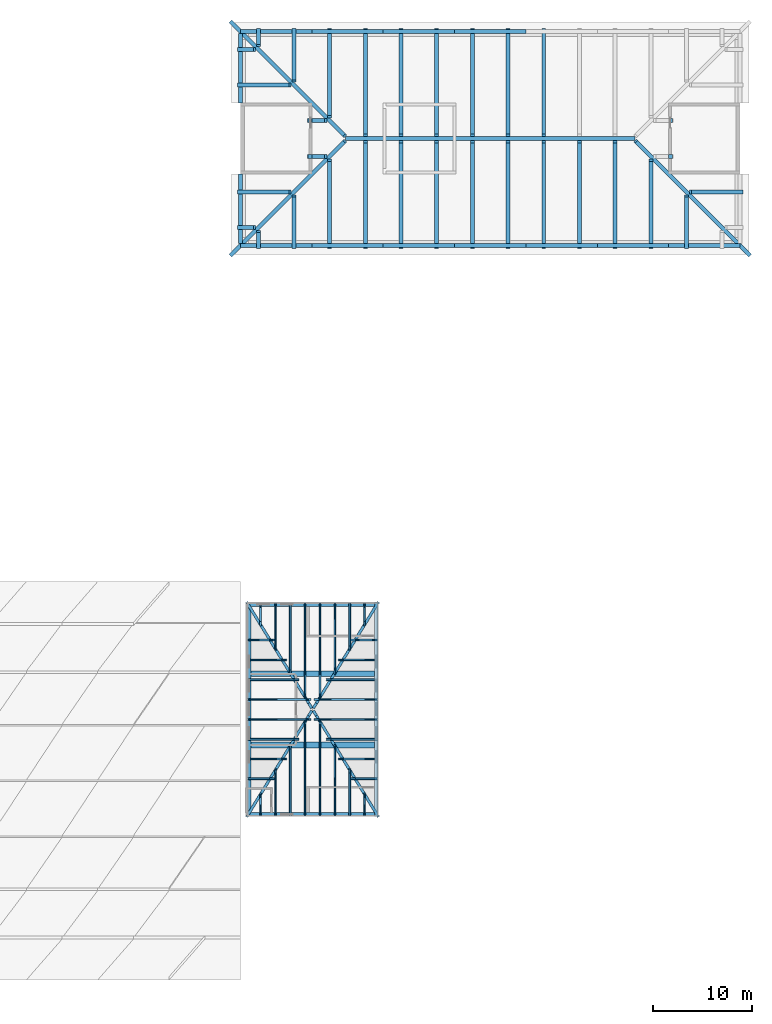
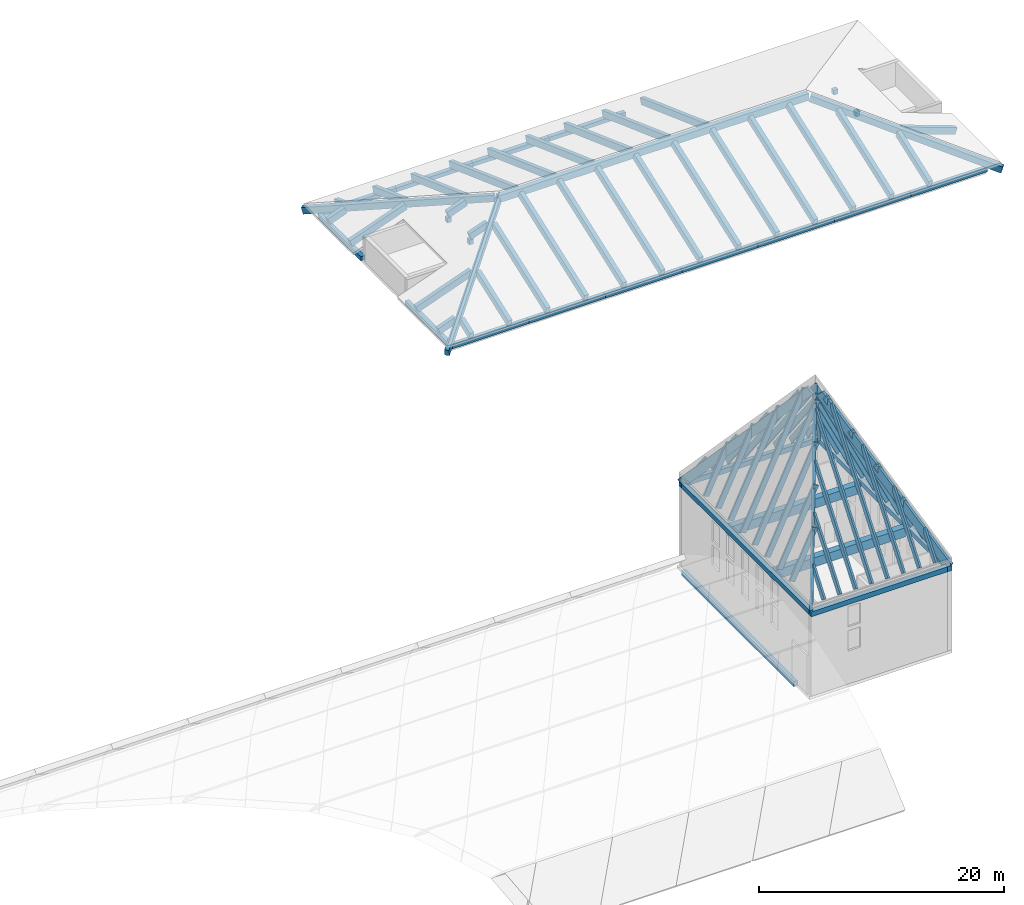
# One storey, part 1 of 8: 53 beams, 36 members, 4 columns.
"""IFC4 building model written with IfcOpenShell, lengths in metres."""

from ifc_helpers import new_model, si_unit, direction, frame, origin, origin_2d, place, context, subcontext, project, spatial, rectangle, extrude, material, material_profile, profile_set, type_object, element, save


model = new_model("IFC4")

# Units and contexts
model_context = context("Model", 3, precision=1e-05, world=origin(), true_north=direction((0.0, 1.0)))
body_context = subcontext(model_context, "Body", "Model", "MODEL_VIEW")
ifc_project = project(units=[si_unit("LENGTHUNIT", "METRE"), si_unit("AREAUNIT", "SQUARE_METRE"), si_unit("VOLUMEUNIT", "CUBIC_METRE"), si_unit("PLANEANGLEUNIT", "RADIAN"), si_unit("MASSUNIT", "GRAM", prefix="KILO")], contexts=[model_context])

# Site, building, storey
site_placement = place(None, origin())
site = spatial("IfcSite", under=ifc_project, at=site_placement, CompositionType="ELEMENT")
building_placement = place(site_placement, origin())
building = spatial("IfcBuilding", under=site, at=building_placement, Name="Vermilion Court Aquatics Centre", CompositionType="ELEMENT")
storey_placement = place(building_placement, frame((0.0, 0.0, 23.300048828125)))
storey = spatial("IfcBuildingStorey", under=building, at=storey_placement, Name="ROOF", CompositionType="ELEMENT", Elevation=23.300048828125)

# Columns
ifc_material_1 = material(Name="Concrete 5000 psi", Category="concrete")
ifc_material_profile_1 = material_profile(ifc_material_1, rectangle(XDim=0.39990234375, YDim=0.39990234375, at=origin_2d()), Name="RC 400x400")
ifc_profile_set_1 = profile_set([ifc_material_profile_1], Name="Concrete 5000 psi")
column_type = type_object("IfcColumnType", Name="Roof rafter seat post RC 400x400", PredefinedType="COLUMN", material=ifc_profile_set_1)
for number, where, z_axis, x_axis, name in (
    (1, (151.0, 102.60009765625, 2.5), (0.0, 0.0, 1.0), (1.0, 0.0, 0.0), "Roof rafter seat post"),
    (2, (151.0, 106.199951171875, 2.5), (0.0, 0.0, 1.0), (1.0, 0.0, 0.0), "Roof rafter seat post"),
    (3, (187.39990234375, 102.60009765625, 2.5), (0.0, 0.0, 1.0), (1.0, 0.0, 0.0), "Roof rafter seat post"),
    (4, (187.39990234375, 106.199951171875, 2.5), (0.0, 0.0, 1.0), (1.0, 0.0, 0.0), "Roof rafter seat post"),
):
    element("IfcColumn", number, at=place(storey_placement, frame(where, z_axis=z_axis, x_axis=x_axis)), inside=storey, type_object=column_type, Name=name, PredefinedType="COLUMN", context=body_context, shape_type="SweptSolid", body=[
        extrude(rectangle(XDim=0.39990234375, YDim=0.39990234375, at=origin_2d()), origin(), (0.0, 0.0, 1.0), 0.47314453125),
    ])

# Members
ifc_material_2 = material(Name="Glulam 24F-V4 Douglas fir", Category="wood")
ifc_material_profile_2 = material_profile(ifc_material_2, rectangle(XDim=0.1708984375, YDim=0.550048828125, at=origin_2d()), Name="GL24F 171x550")
ifc_profile_set_2 = profile_set([ifc_material_profile_2], Name="Glulam 24F-V4 Douglas fir")
member_type_1 = type_object("IfcMemberType", Name="Diving Tower crown common rafter GL24F 171x550", PredefinedType="RAFTER", material=ifc_profile_set_2)
for number, where, z_axis, x_axis, name in (
    (5, (152.02490234375, 36.312744140625, 8.960693359375), (0.0, 0.610855307645, 0.791742251697), (-1.0, 0.0, 0.0), "Diving Tower crown rafter S1"),
    (6, (150.52490234375, 36.312744140625, 8.960693359375), (0.0, 0.610855307645, 0.791742251697), (-1.0, 0.0, 0.0), "Diving Tower crown rafter S2"),
):
    element("IfcMember", number, at=place(storey_placement, frame(where, z_axis=z_axis, x_axis=x_axis)), inside=storey, type_object=member_type_1, Name=name, PredefinedType="RAFTER", context=body_context, shape_type="SweptSolid", body=[
        extrude(rectangle(XDim=0.1708984375, YDim=0.550048828125, at=origin_2d()), origin(), (0.0, 0.0, 1.0), 15.01123046875),
    ])
for number, where, z_axis, x_axis, name in (
    (7, (153.52490234375, 36.312744140625, 8.960693359375), (0.0, 0.610869793084, 0.791731075491), (-1.0, 0.0, 0.0), "Diving Tower crown rafter S3"),
    (8, (149.02490234375, 36.312744140625, 8.960693359375), (0.0, 0.610869793084, 0.791731075491), (-1.0, 0.0, 0.0), "Diving Tower crown rafter S4"),
):
    element("IfcMember", number, at=place(storey_placement, frame(where, z_axis=z_axis, x_axis=x_axis)), inside=storey, type_object=member_type_1, Name=name, PredefinedType="RAFTER", context=body_context, shape_type="SweptSolid", body=[
        extrude(rectangle(XDim=0.1708984375, YDim=0.550048828125, at=origin_2d()), origin(), (0.0, 0.0, 1.0), 11.00830078125),
    ])
for number, where, z_axis, x_axis, name in (
    (9, (155.02490234375, 36.312744140625, 8.960693359375), (0.0, 0.610862131543, 0.791736986787), (-1.0, 0.0, 0.0), "Diving Tower crown rafter S5"),
    (10, (147.52490234375, 36.312744140625, 8.960693359375), (0.0, 0.610862131543, 0.791736986787), (-1.0, 0.0, 0.0), "Diving Tower crown rafter S6"),
):
    element("IfcMember", number, at=place(storey_placement, frame(where, z_axis=z_axis, x_axis=x_axis)), inside=storey, type_object=member_type_1, Name=name, PredefinedType="RAFTER", context=body_context, shape_type="SweptSolid", body=[
        extrude(rectangle(XDim=0.1708984375, YDim=0.550048828125, at=origin_2d()), origin(), (0.0, 0.0, 1.0), 7.00537109375),
    ])
for number, where, z_axis, x_axis, name in (
    (11, (156.52490234375, 36.312744140625, 8.960693359375), (0.0, 0.610873368516, 0.791728316809), (-1.0, 0.0, 0.0), "Diving Tower crown rafter S7"),
    (12, (146.02490234375, 36.312744140625, 8.960693359375), (0.0, 0.610873368516, 0.791728316809), (-1.0, 0.0, 0.0), "Diving Tower crown rafter S8"),
):
    element("IfcMember", number, at=place(storey_placement, frame(where, z_axis=z_axis, x_axis=x_axis)), inside=storey, type_object=member_type_1, Name=name, PredefinedType="RAFTER", context=body_context, shape_type="SweptSolid", body=[
        extrude(rectangle(XDim=0.1708984375, YDim=0.550048828125, at=origin_2d()), origin(), (0.0, 0.0, 1.0), 3.002197265625),
    ])
for number, where, z_axis, x_axis, name in (
    (13, (157.54296875, 47.800048828125, 9.032958984375), (-0.427783607209, 0.0, 0.903881178808), (0.0, -1.0, 0.0), "Diving Tower crown rafter E1"),
    (14, (157.54296875, 45.800048828125, 9.032958984375), (-0.427783607209, 0.0, 0.903881178808), (0.0, -1.0, 0.0), "Diving Tower crown rafter E2"),
):
    element("IfcMember", number, at=place(storey_placement, frame(where, z_axis=z_axis, x_axis=x_axis)), inside=storey, type_object=member_type_1, Name=name, PredefinedType="RAFTER", context=body_context, shape_type="SweptSolid", body=[
        extrude(rectangle(XDim=0.1708984375, YDim=0.550048828125, at=origin_2d()), origin(), (0.0, 0.0, 1.0), 13.694091796875),
    ])
for number, where, z_axis, x_axis, name in (
    (15, (157.54296875, 49.800048828125, 9.032958984375), (-0.427787753511, 0.0, 0.903879216459), (0.0, -1.0, 0.0), "Diving Tower crown rafter E3"),
    (16, (157.54296875, 43.800048828125, 9.032958984375), (-0.427787753511, 0.0, 0.903879216459), (0.0, -1.0, 0.0), "Diving Tower crown rafter E4"),
):
    element("IfcMember", number, at=place(storey_placement, frame(where, z_axis=z_axis, x_axis=x_axis)), inside=storey, type_object=member_type_1, Name=name, PredefinedType="RAFTER", context=body_context, shape_type="SweptSolid", body=[
        extrude(rectangle(XDim=0.1708984375, YDim=0.550048828125, at=origin_2d()), origin(), (0.0, 0.0, 1.0), 10.826171875),
    ])
for number, where, z_axis, x_axis, name in (
    (17, (157.54296875, 51.800048828125, 9.032958984375), (-0.427794888172, 0.0, 0.903875839734), (0.0, -1.0, 0.0), "Diving Tower crown rafter E5"),
    (18, (157.54296875, 41.800048828125, 9.032958984375), (-0.427794888172, 0.0, 0.903875839734), (0.0, -1.0, 0.0), "Diving Tower crown rafter E6"),
):
    element("IfcMember", number, at=place(storey_placement, frame(where, z_axis=z_axis, x_axis=x_axis)), inside=storey, type_object=member_type_1, Name=name, PredefinedType="RAFTER", context=body_context, shape_type="SweptSolid", body=[
        extrude(rectangle(XDim=0.1708984375, YDim=0.550048828125, at=origin_2d()), origin(), (0.0, 0.0, 1.0), 7.958251953125),
    ])
for number, where, z_axis, x_axis, name in (
    (19, (157.54296875, 53.800048828125, 9.032958984375), (-0.427810062026, 0.0, 0.903868657953), (0.0, -1.0, 0.0), "Diving Tower crown rafter E7"),
    (20, (157.54296875, 39.800048828125, 9.032958984375), (-0.427810062026, 0.0, 0.903868657953), (0.0, -1.0, 0.0), "Diving Tower crown rafter E8"),
):
    element("IfcMember", number, at=place(storey_placement, frame(where, z_axis=z_axis, x_axis=x_axis)), inside=storey, type_object=member_type_1, Name=name, PredefinedType="RAFTER", context=body_context, shape_type="SweptSolid", body=[
        extrude(rectangle(XDim=0.1708984375, YDim=0.550048828125, at=origin_2d()), origin(), (0.0, 0.0, 1.0), 5.09033203125),
    ])
for number, where, z_axis, x_axis, name in (
    (21, (150.52490234375, 57.287353515625, 8.960693359375), (0.0, -0.610865502605, 0.791734385844), (1.0, 0.0, 0.0), "Diving Tower crown rafter N1"),
    (22, (152.02490234375, 57.287353515625, 8.960693359375), (0.0, -0.610865502605, 0.791734385844), (1.0, 0.0, 0.0), "Diving Tower crown rafter N2"),
):
    element("IfcMember", number, at=place(storey_placement, frame(where, z_axis=z_axis, x_axis=x_axis)), inside=storey, type_object=member_type_1, Name=name, PredefinedType="RAFTER", context=body_context, shape_type="SweptSolid", body=[
        extrude(rectangle(XDim=0.1708984375, YDim=0.550048828125, at=origin_2d()), origin(), (0.0, 0.0, 1.0), 15.011474609375),
    ])
for number, where, z_axis, x_axis, name in (
    (23, (149.02490234375, 57.287353515625, 8.960693359375), (0.0, -0.610869793084, 0.791731075491), (1.0, 0.0, 0.0), "Diving Tower crown rafter N3"),
    (24, (153.52490234375, 57.287353515625, 8.960693359375), (0.0, -0.610869793084, 0.791731075491), (1.0, 0.0, 0.0), "Diving Tower crown rafter N4"),
):
    element("IfcMember", number, at=place(storey_placement, frame(where, z_axis=z_axis, x_axis=x_axis)), inside=storey, type_object=member_type_1, Name=name, PredefinedType="RAFTER", context=body_context, shape_type="SweptSolid", body=[
        extrude(rectangle(XDim=0.1708984375, YDim=0.550048828125, at=origin_2d()), origin(), (0.0, 0.0, 1.0), 11.00830078125),
    ])
for number, where, z_axis, x_axis, name in (
    (25, (147.52490234375, 57.287353515625, 8.960693359375), (0.0, -0.610862131543, 0.791736986787), (1.0, 0.0, 0.0), "Diving Tower crown rafter N5"),
    (26, (155.02490234375, 57.287353515625, 8.960693359375), (0.0, -0.610862131543, 0.791736986787), (1.0, 0.0, 0.0), "Diving Tower crown rafter N6"),
):
    element("IfcMember", number, at=place(storey_placement, frame(where, z_axis=z_axis, x_axis=x_axis)), inside=storey, type_object=member_type_1, Name=name, PredefinedType="RAFTER", context=body_context, shape_type="SweptSolid", body=[
        extrude(rectangle(XDim=0.1708984375, YDim=0.550048828125, at=origin_2d()), origin(), (0.0, 0.0, 1.0), 7.00537109375),
    ])
for number, where, z_axis, x_axis, name in (
    (27, (146.02490234375, 57.287353515625, 8.960693359375), (0.0, -0.610873368516, 0.791728316809), (1.0, 0.0, 0.0), "Diving Tower crown rafter N7"),
    (28, (156.52490234375, 57.287353515625, 8.960693359375), (0.0, -0.610873368516, 0.791728316809), (1.0, 0.0, 0.0), "Diving Tower crown rafter N8"),
):
    element("IfcMember", number, at=place(storey_placement, frame(where, z_axis=z_axis, x_axis=x_axis)), inside=storey, type_object=member_type_1, Name=name, PredefinedType="RAFTER", context=body_context, shape_type="SweptSolid", body=[
        extrude(rectangle(XDim=0.1708984375, YDim=0.550048828125, at=origin_2d()), origin(), (0.0, 0.0, 1.0), 3.002197265625),
    ])
for number, where, z_axis, x_axis, name in (
    (29, (145.007080078125, 45.800048828125, 9.032958984375), (0.427783607209, 0.0, 0.903881178808), (0.0, 1.0, 0.0), "Diving Tower crown rafter W1"),
    (30, (145.007080078125, 47.800048828125, 9.032958984375), (0.427783607209, 0.0, 0.903881178808), (0.0, 1.0, 0.0), "Diving Tower crown rafter W2"),
):
    element("IfcMember", number, at=place(storey_placement, frame(where, z_axis=z_axis, x_axis=x_axis)), inside=storey, type_object=member_type_1, Name=name, PredefinedType="RAFTER", context=body_context, shape_type="SweptSolid", body=[
        extrude(rectangle(XDim=0.1708984375, YDim=0.550048828125, at=origin_2d()), origin(), (0.0, 0.0, 1.0), 13.694091796875),
    ])
for number, where, z_axis, x_axis, name in (
    (31, (145.007080078125, 43.800048828125, 9.032958984375), (0.427787753511, 0.0, 0.903879216459), (0.0, 1.0, 0.0), "Diving Tower crown rafter W3"),
    (32, (145.007080078125, 49.800048828125, 9.032958984375), (0.427787753511, 0.0, 0.903879216459), (0.0, 1.0, 0.0), "Diving Tower crown rafter W4"),
):
    element("IfcMember", number, at=place(storey_placement, frame(where, z_axis=z_axis, x_axis=x_axis)), inside=storey, type_object=member_type_1, Name=name, PredefinedType="RAFTER", context=body_context, shape_type="SweptSolid", body=[
        extrude(rectangle(XDim=0.1708984375, YDim=0.550048828125, at=origin_2d()), origin(), (0.0, 0.0, 1.0), 10.826171875),
    ])
for number, where, z_axis, x_axis, name in (
    (33, (145.007080078125, 41.800048828125, 9.032958984375), (0.427794888172, 0.0, 0.903875839734), (0.0, 1.0, 0.0), "Diving Tower crown rafter W5"),
    (34, (145.007080078125, 51.800048828125, 9.032958984375), (0.427794888172, 0.0, 0.903875839734), (0.0, 1.0, 0.0), "Diving Tower crown rafter W6"),
):
    element("IfcMember", number, at=place(storey_placement, frame(where, z_axis=z_axis, x_axis=x_axis)), inside=storey, type_object=member_type_1, Name=name, PredefinedType="RAFTER", context=body_context, shape_type="SweptSolid", body=[
        extrude(rectangle(XDim=0.1708984375, YDim=0.550048828125, at=origin_2d()), origin(), (0.0, 0.0, 1.0), 7.958251953125),
    ])
for number, where, z_axis, x_axis, name in (
    (35, (145.007080078125, 39.800048828125, 9.032958984375), (0.427810062026, 0.0, 0.903868657953), (0.0, 1.0, 0.0), "Diving Tower crown rafter W7"),
    (36, (145.007080078125, 53.800048828125, 9.032958984375), (0.427810062026, 0.0, 0.903868657953), (0.0, 1.0, 0.0), "Diving Tower crown rafter W8"),
):
    element("IfcMember", number, at=place(storey_placement, frame(where, z_axis=z_axis, x_axis=x_axis)), inside=storey, type_object=member_type_1, Name=name, PredefinedType="RAFTER", context=body_context, shape_type="SweptSolid", body=[
        extrude(rectangle(XDim=0.1708984375, YDim=0.550048828125, at=origin_2d()), origin(), (0.0, 0.0, 1.0), 5.09033203125),
    ])
ifc_material_3 = material(Name="Glulam 24F-V4 Douglas fir", Category="wood")
ifc_material_profile_3 = material_profile(ifc_material_3, rectangle(XDim=0.27294921875, YDim=0.800048828125, at=origin_2d()), Name="GL24F 273x800")
ifc_profile_set_3 = profile_set([ifc_material_profile_3], Name="Glulam 24F-V4 Douglas fir")
member_type_2 = type_object("IfcMemberType", Name="Diving Tower crown hip rafter GL24F 273x800", PredefinedType="RAFTER", material=ifc_profile_set_3)
for number, where, z_axis, x_axis, name in (
    (37, (144.782470703125, 36.216064453125, 8.266845703125), (0.350895239193, 0.57201537217, 0.741397966758), (-0.85239857683, 0.522892595298, 0.0), "Diving Tower crown hip rafter 1"),
    (38, (157.767578125, 36.216064453125, 8.266845703125), (-0.350895239193, 0.57201537217, 0.741397966758), (-0.85239857683, -0.522892595298, 0.0), "Diving Tower crown hip rafter 2"),
    (39, (157.767578125, 57.384033203125, 8.266845703125), (-0.350895239193, -0.57201537217, 0.741397966758), (0.85239857683, -0.522892595298, 0.0), "Diving Tower crown hip rafter 3"),
    (40, (144.782470703125, 57.384033203125, 8.266845703125), (0.350895239193, -0.57201537217, 0.741397966758), (0.85239857683, 0.522892595298, 0.0), "Diving Tower crown hip rafter 4"),
):
    element("IfcMember", number, at=place(storey_placement, frame(where, z_axis=z_axis, x_axis=x_axis)), inside=storey, type_object=member_type_2, Name=name, PredefinedType="RAFTER", context=body_context, shape_type="SweptSolid", body=[
        extrude(rectangle(XDim=0.27294921875, YDim=0.800048828125, at=origin_2d()), origin(), (0.0, 0.0, 1.0), 17.83251953125),
    ])

# Beams
ifc_material_4 = material(Name="Concrete 8000 psi", Category="concrete")
ifc_material_profile_4 = material_profile(ifc_material_4, rectangle(XDim=0.60009765625, YDim=0.89990234375, at=origin_2d()), Name="RC 600x900")
ifc_profile_set_4 = profile_set([ifc_material_profile_4], Name="Concrete 8000 psi")
beam_type_1 = type_object("IfcBeamType", Name="Diving Tower girder 600x900", PredefinedType="BEAM", material=ifc_profile_set_4)
for number, where, z_axis, x_axis, name in (
    (41, (145.050048828125, 43.199951171875, 7.64990234375), (1.0, 0.0, 0.0), (0.0, 1.0, 0.0), "Diving Tower girder y43.2 plant ceiling"),
    (42, (145.050048828125, 50.39990234375, 7.64990234375), (1.0, 0.0, 0.0), (0.0, 1.0, 0.0), "Diving Tower girder y50.4 plant ceiling"),
):
    element("IfcBeam", number, at=place(storey_placement, frame(where, z_axis=z_axis, x_axis=x_axis)), inside=storey, type_object=beam_type_1, Name=name, PredefinedType="BEAM", context=body_context, shape_type="SweptSolid", body=[
        extrude(rectangle(XDim=0.60009765625, YDim=0.89990234375, at=origin_2d()), origin(), (0.0, 0.0, 1.0), 12.449951171875),
    ])
ifc_material_5 = material(Name="Concrete 8000 psi", Category="concrete")
ifc_material_profile_5 = material_profile(ifc_material_5, rectangle(XDim=0.39990234375, YDim=0.5, at=origin_2d()), Name="RC 400x500")
ifc_profile_set_5 = profile_set([ifc_material_profile_5], Name="Concrete 8000 psi")
beam_type_2 = type_object("IfcBeamType", Name="Diving Tower ring beam 400x500", PredefinedType="BEAM", material=ifc_profile_set_5)
for number, where, z_axis, x_axis, name in (
    (43, (144.64990234375, 36.199951171875, 8.14990234375), (1.0, 0.0, 0.0), (0.0, 1.0, 0.0), "Diving Tower ring beam S plant top"),
    (44, (144.64990234375, 57.39990234375, 8.14990234375), (1.0, 0.0, 0.0), (0.0, 1.0, 0.0), "Diving Tower ring beam N plant top"),
):
    element("IfcBeam", number, at=place(storey_placement, frame(where, z_axis=z_axis, x_axis=x_axis)), inside=storey, type_object=beam_type_2, Name=name, PredefinedType="BEAM", context=body_context, shape_type="SweptSolid", body=[
        extrude(rectangle(XDim=0.39990234375, YDim=0.5, at=origin_2d()), origin(), (0.0, 0.0, 1.0), 12.85009765625),
    ])
beam_1_placement = place(storey_placement, frame((157.699951171875, 36.0, 8.14990234375), z_axis=(0.0, 1.0, 0.0), x_axis=(-1.0, 0.0, 0.0)))
element("IfcBeam", 45, at=beam_1_placement, inside=storey, type_object=beam_type_2, Name="Diving Tower ring beam E plant top", PredefinedType="BEAM", context=body_context, shape_type="SweptSolid", body=[
    extrude(rectangle(XDim=0.39990234375, YDim=0.5, at=origin_2d()), origin(), (0.0, 0.0, 1.0), 21.60009765625),
])
beam_2_placement = place(storey_placement, frame((144.85009765625, 36.39990234375, 8.14990234375), z_axis=(0.0, 1.0, 0.0), x_axis=(-1.0, 0.0, 0.0)))
element("IfcBeam", 46, at=beam_2_placement, inside=storey, type_object=beam_type_2, Name="Diving Tower ring beam W plant top", PredefinedType="BEAM", context=body_context, shape_type="SweptSolid", body=[
    extrude(rectangle(XDim=0.39990234375, YDim=0.5, at=origin_2d()), origin(), (0.0, 0.0, 1.0), 20.800048828125),
])
beam_3_placement = place(storey_placement, frame((144.85009765625, 38.8798828125, -0.550048828125), z_axis=(0.0, 1.0, 0.0), x_axis=(-1.0, 0.0, 0.0)))
element("IfcBeam", 47, at=beam_3_placement, inside=storey, type_object=beam_type_2, Name="Diving Tower ring beam W plant floor edge", PredefinedType="BEAM", context=body_context, shape_type="SweptSolid", body=[
    extrude(rectangle(XDim=0.39990234375, YDim=0.5, at=origin_2d()), origin(), (0.0, 0.0, 1.0), 18.320068359375),
])
ifc_material_6 = material(Name="Concrete 5000 psi", Category="concrete")
ifc_material_profile_6 = material_profile(ifc_material_6, rectangle(XDim=0.39990234375, YDim=0.39990234375, at=origin_2d()), Name="RC 400x400")
ifc_profile_set_6 = profile_set([ifc_material_profile_6], Name="Concrete 5000 psi")
beam_type_3 = type_object("IfcBeamType", Name="Roof eaves ring beam RC 400x400", PredefinedType="BEAM", material=ifc_profile_set_6)
for number, where, z_axis, x_axis, name in (
    (48, (144.0, 93.60009765625, 0.199951171875), (1.0, 0.0, 0.0), (0.0, 1.0, 0.0), "Roof eaves ring beam"),
    (49, (151.199951171875, 93.60009765625, 0.199951171875), (1.0, 0.0, 0.0), (0.0, 1.0, 0.0), "Roof eaves ring beam"),
):
    element("IfcBeam", number, at=place(storey_placement, frame(where, z_axis=z_axis, x_axis=x_axis)), inside=storey, type_object=beam_type_3, Name=name, PredefinedType="BEAM", context=body_context, shape_type="SweptSolid", body=[
        extrude(rectangle(XDim=0.39990234375, YDim=0.39990234375, at=origin_2d()), origin(), (0.0, 0.0, 1.0), 7.199951171875),
    ])
beam_4_placement = place(storey_placement, frame((158.39990234375, 93.60009765625, 0.199951171875), z_axis=(1.0, 0.0, 0.0), x_axis=(0.0, 1.0, 0.0)))
element("IfcBeam", 50, at=beam_4_placement, inside=storey, type_object=beam_type_3, Name="Roof eaves ring beam", PredefinedType="BEAM", context=body_context, shape_type="SweptSolid", body=[
    extrude(rectangle(XDim=0.39990234375, YDim=0.39990234375, at=origin_2d()), origin(), (0.0, 0.0, 1.0), 7.2001953125),
])
for number, where, z_axis, x_axis, name in (
    (51, (165.60009765625, 93.60009765625, 0.199951171875), (1.0, 0.0, 0.0), (0.0, 1.0, 0.0), "Roof eaves ring beam"),
    (52, (172.800048828125, 93.60009765625, 0.199951171875), (1.0, 0.0, 0.0), (0.0, 1.0, 0.0), "Roof eaves ring beam"),
    (53, (180.0, 93.60009765625, 0.199951171875), (1.0, 0.0, 0.0), (0.0, 1.0, 0.0), "Roof eaves ring beam"),
    (54, (187.199951171875, 93.60009765625, 0.199951171875), (1.0, 0.0, 0.0), (0.0, 1.0, 0.0), "Roof eaves ring beam"),
    (55, (144.0, 115.199951171875, 0.199951171875), (1.0, 0.0, 0.0), (0.0, 1.0, 0.0), "Roof eaves ring beam"),
    (56, (151.199951171875, 115.199951171875, 0.199951171875), (1.0, 0.0, 0.0), (0.0, 1.0, 0.0), "Roof eaves ring beam"),
):
    element("IfcBeam", number, at=place(storey_placement, frame(where, z_axis=z_axis, x_axis=x_axis)), inside=storey, type_object=beam_type_3, Name=name, PredefinedType="BEAM", context=body_context, shape_type="SweptSolid", body=[
        extrude(rectangle(XDim=0.39990234375, YDim=0.39990234375, at=origin_2d()), origin(), (0.0, 0.0, 1.0), 7.199951171875),
    ])
beam_5_placement = place(storey_placement, frame((158.39990234375, 115.199951171875, 0.199951171875), z_axis=(1.0, 0.0, 0.0), x_axis=(0.0, 1.0, 0.0)))
element("IfcBeam", 57, at=beam_5_placement, inside=storey, type_object=beam_type_3, Name="Roof eaves ring beam", PredefinedType="BEAM", context=body_context, shape_type="SweptSolid", body=[
    extrude(rectangle(XDim=0.39990234375, YDim=0.39990234375, at=origin_2d()), origin(), (0.0, 0.0, 1.0), 7.2001953125),
])
beam_6_placement = place(storey_placement, frame((165.60009765625, 115.199951171875, 0.199951171875), z_axis=(1.0, 0.0, 0.0), x_axis=(0.0, 1.0, 0.0)))
element("IfcBeam", 58, at=beam_6_placement, inside=storey, type_object=beam_type_3, Name="Roof eaves ring beam", PredefinedType="BEAM", context=body_context, shape_type="SweptSolid", body=[
    extrude(rectangle(XDim=0.39990234375, YDim=0.39990234375, at=origin_2d()), origin(), (0.0, 0.0, 1.0), 7.199951171875),
])
for number, where, z_axis, x_axis, name in (
    (59, (144.0, 93.800048828125, 0.199951171875), (0.0, 1.0, 0.0), (-1.0, 0.0, 0.0), "Roof eaves ring beam"),
    (60, (144.0, 108.0, 0.199951171875), (0.0, 1.0, 0.0), (-1.0, 0.0, 0.0), "Roof eaves ring beam"),
):
    element("IfcBeam", number, at=place(storey_placement, frame(where, z_axis=z_axis, x_axis=x_axis)), inside=storey, type_object=beam_type_3, Name=name, PredefinedType="BEAM", context=body_context, shape_type="SweptSolid", body=[
        extrude(rectangle(XDim=0.39990234375, YDim=0.39990234375, at=origin_2d()), origin(), (0.0, 0.0, 1.0), 7.0),
    ])
ifc_material_7 = material(Name="Concrete 5000 psi", Category="concrete")
ifc_material_profile_7 = material_profile(ifc_material_7, rectangle(XDim=0.39990234375, YDim=0.64990234375, at=origin_2d()), Name="RC 400x650")
ifc_profile_set_7 = profile_set([ifc_material_profile_7], Name="Concrete 5000 psi")
beam_type_4 = type_object("IfcBeamType", Name="Roof north rafter RC 400x650", PredefinedType="BEAM", material=ifc_profile_set_7)
beam_7_placement = place(storey_placement, frame((145.800048828125, 93.418701171875, 0.705322265625), z_axis=(0.0, 0.939717444246, 0.341951933726), x_axis=(-1.0, 0.0, 0.0)))
element("IfcBeam", 61, at=beam_7_placement, inside=storey, type_object=beam_type_4, Name="Roof north rafter", PredefinedType="BEAM", context=body_context, shape_type="SweptSolid", body=[
    extrude(rectangle(XDim=0.39990234375, YDim=0.64990234375, at=origin_2d()), origin(), (0.0, 0.0, 1.0), 1.689208984375),
])
beam_8_placement = place(storey_placement, frame((145.800048828125, 115.381103515625, 0.705322265625), z_axis=(0.0, -0.939700541046, 0.341998381805), x_axis=(1.0, 0.0, 0.0)))
element("IfcBeam", 62, at=beam_8_placement, inside=storey, type_object=beam_type_4, Name="Roof north rafter", PredefinedType="BEAM", context=body_context, shape_type="SweptSolid", body=[
    extrude(rectangle(XDim=0.39990234375, YDim=0.64990234375, at=origin_2d()), origin(), (0.0, 0.0, 1.0), 1.68896484375),
])
for number, where, z_axis, x_axis, name in (
    (63, (149.39990234375, 93.418701171875, 0.705322265625), (0.0, 0.939696537741, 0.342009381388), (-1.0, 0.0, 0.0), "Roof north rafter"),
    (64, (149.39990234375, 115.381103515625, 0.705322265625), (0.0, -0.939691364138, 0.342023595918), (1.0, 0.0, 0.0), "Roof north rafter"),
):
    element("IfcBeam", number, at=place(storey_placement, frame(where, z_axis=z_axis, x_axis=x_axis)), inside=storey, type_object=beam_type_4, Name=name, PredefinedType="BEAM", context=body_context, shape_type="SweptSolid", body=[
        extrude(rectangle(XDim=0.39990234375, YDim=0.64990234375, at=origin_2d()), origin(), (0.0, 0.0, 1.0), 5.52001953125),
    ])
beam_9_placement = place(storey_placement, frame((153.0, 93.418701171875, 0.705322265625), z_axis=(0.0, 0.93969581466, 0.342011368101), x_axis=(-1.0, 0.0, 0.0)))
element("IfcBeam", 65, at=beam_9_placement, inside=storey, type_object=beam_type_4, Name="Roof north rafter", PredefinedType="BEAM", context=body_context, shape_type="SweptSolid", body=[
    extrude(rectangle(XDim=0.39990234375, YDim=0.64990234375, at=origin_2d()), origin(), (0.0, 0.0, 1.0), 9.351318359375),
])
beam_10_placement = place(storey_placement, frame((153.0, 115.381103515625, 0.705322265625), z_axis=(0.0, -0.939692760679, 0.342019758971), x_axis=(1.0, 0.0, 0.0)))
element("IfcBeam", 66, at=beam_10_placement, inside=storey, type_object=beam_type_4, Name="Roof north rafter", PredefinedType="BEAM", context=body_context, shape_type="SweptSolid", body=[
    extrude(rectangle(XDim=0.39990234375, YDim=0.64990234375, at=origin_2d()), origin(), (0.0, 0.0, 1.0), 9.35107421875),
])
for number, where, z_axis, x_axis, name in (
    (67, (156.60009765625, 93.418701171875, 0.705322265625), (0.0, 0.939691444338, 0.342023375571), (-1.0, 0.0, 0.0), "Roof north rafter"),
    (68, (156.60009765625, 115.381103515625, 0.705322265625), (0.0, -0.939691444338, 0.342023375571), (1.0, 0.0, 0.0), "Roof north rafter"),
    (69, (160.199951171875, 93.418701171875, 0.705322265625), (0.0, 0.939691444338, 0.342023375571), (-1.0, 0.0, 0.0), "Roof north rafter"),
    (70, (160.199951171875, 115.381103515625, 0.705322265625), (0.0, -0.939691444338, 0.342023375571), (1.0, 0.0, 0.0), "Roof north rafter"),
    (71, (163.800048828125, 93.418701171875, 0.705322265625), (0.0, 0.939691444338, 0.342023375571), (-1.0, 0.0, 0.0), "Roof north rafter"),
    (72, (163.800048828125, 115.381103515625, 0.705322265625), (0.0, -0.939691444338, 0.342023375571), (1.0, 0.0, 0.0), "Roof north rafter"),
    (73, (167.39990234375, 93.418701171875, 0.705322265625), (0.0, 0.939691444338, 0.342023375571), (-1.0, 0.0, 0.0), "Roof north rafter"),
    (74, (167.39990234375, 115.381103515625, 0.705322265625), (0.0, -0.939691444338, 0.342023375571), (1.0, 0.0, 0.0), "Roof north rafter"),
    (75, (171.0, 93.418701171875, 0.705322265625), (0.0, 0.939691444338, 0.342023375571), (-1.0, 0.0, 0.0), "Roof north rafter"),
    (76, (171.0, 115.381103515625, 0.705322265625), (0.0, -0.939691444338, 0.342023375571), (1.0, 0.0, 0.0), "Roof north rafter"),
    (77, (174.60009765625, 93.418701171875, 0.705322265625), (0.0, 0.939691444338, 0.342023375571), (-1.0, 0.0, 0.0), "Roof north rafter"),
    (78, (174.60009765625, 115.381103515625, 0.705322265625), (0.0, -0.939691444338, 0.342023375571), (1.0, 0.0, 0.0), "Roof north rafter"),
    (79, (178.199951171875, 93.418701171875, 0.705322265625), (0.0, 0.939691444338, 0.342023375571), (-1.0, 0.0, 0.0), "Roof north rafter"),
    (80, (181.800048828125, 93.418701171875, 0.705322265625), (0.0, 0.939691444338, 0.342023375571), (-1.0, 0.0, 0.0), "Roof north rafter"),
):
    element("IfcBeam", number, at=place(storey_placement, frame(where, z_axis=z_axis, x_axis=x_axis)), inside=storey, type_object=beam_type_4, Name=name, PredefinedType="BEAM", context=body_context, shape_type="SweptSolid", body=[
        extrude(rectangle(XDim=0.39990234375, YDim=0.64990234375, at=origin_2d()), origin(), (0.0, 0.0, 1.0), 11.328125),
    ])
beam_11_placement = place(storey_placement, frame((185.39990234375, 93.418701171875, 0.705322265625), z_axis=(0.0, 0.93969581466, 0.342011368101), x_axis=(-1.0, 0.0, 0.0)))
element("IfcBeam", 81, at=beam_11_placement, inside=storey, type_object=beam_type_4, Name="Roof north rafter", PredefinedType="BEAM", context=body_context, shape_type="SweptSolid", body=[
    extrude(rectangle(XDim=0.39990234375, YDim=0.64990234375, at=origin_2d()), origin(), (0.0, 0.0, 1.0), 9.351318359375),
])
beam_12_placement = place(storey_placement, frame((189.0, 93.418701171875, 0.705322265625), z_axis=(0.0, 0.939696537741, 0.342009381388), x_axis=(-1.0, 0.0, 0.0)))
element("IfcBeam", 82, at=beam_12_placement, inside=storey, type_object=beam_type_4, Name="Roof north rafter", PredefinedType="BEAM", context=body_context, shape_type="SweptSolid", body=[
    extrude(rectangle(XDim=0.39990234375, YDim=0.64990234375, at=origin_2d()), origin(), (0.0, 0.0, 1.0), 5.52001953125),
])
beam_13_placement = place(storey_placement, frame((143.81884765625, 95.39990234375, 0.705322265625), z_axis=(0.939700541046, 0.0, 0.341998381805), x_axis=(0.0, 1.0, 0.0)))
element("IfcBeam", 83, at=beam_13_placement, inside=storey, type_object=beam_type_4, Name="Roof north rafter", PredefinedType="BEAM", context=body_context, shape_type="SweptSolid", body=[
    extrude(rectangle(XDim=0.39990234375, YDim=0.64990234375, at=origin_2d()), origin(), (0.0, 0.0, 1.0), 1.68896484375),
])
for number, where, z_axis, x_axis, name in (
    (84, (143.81884765625, 99.0, 0.705322265625), (0.939696537741, 0.0, 0.342009381388), (0.0, 1.0, 0.0), "Roof north rafter"),
    (85, (194.581298828125, 99.0, 0.705322265625), (-0.939696537741, 0.0, 0.342009381388), (0.0, -1.0, 0.0), "Roof north rafter"),
):
    element("IfcBeam", number, at=place(storey_placement, frame(where, z_axis=z_axis, x_axis=x_axis)), inside=storey, type_object=beam_type_4, Name=name, PredefinedType="BEAM", context=body_context, shape_type="SweptSolid", body=[
        extrude(rectangle(XDim=0.39990234375, YDim=0.64990234375, at=origin_2d()), origin(), (0.0, 0.0, 1.0), 5.52001953125),
    ])
for number, where, z_axis, x_axis, name in (
    (86, (150.888916015625, 102.60009765625, 3.278564453125), (0.939684146288, 0.0, 0.34204342592), (0.0, 1.0, 0.0), "Roof north rafter"),
    (87, (150.888916015625, 106.199951171875, 3.278564453125), (0.939684146288, 0.0, 0.34204342592), (0.0, 1.0, 0.0), "Roof north rafter"),
):
    element("IfcBeam", number, at=place(storey_placement, frame(where, z_axis=z_axis, x_axis=x_axis)), inside=storey, type_object=beam_type_4, Name=name, PredefinedType="BEAM", context=body_context, shape_type="SweptSolid", body=[
        extrude(rectangle(XDim=0.39990234375, YDim=0.64990234375, at=origin_2d()), origin(), (0.0, 0.0, 1.0), 1.8271484375),
    ])
beam_14_placement = place(storey_placement, frame((143.81884765625, 109.800048828125, 0.705322265625), z_axis=(0.939696537741, 0.0, 0.342009381388), x_axis=(0.0, 1.0, 0.0)))
element("IfcBeam", 88, at=beam_14_placement, inside=storey, type_object=beam_type_4, Name="Roof north rafter", PredefinedType="BEAM", context=body_context, shape_type="SweptSolid", body=[
    extrude(rectangle(XDim=0.39990234375, YDim=0.64990234375, at=origin_2d()), origin(), (0.0, 0.0, 1.0), 5.52001953125),
])
beam_15_placement = place(storey_placement, frame((143.81884765625, 113.39990234375, 0.705322265625), z_axis=(0.939700541046, 0.0, 0.341998381805), x_axis=(0.0, 1.0, 0.0)))
element("IfcBeam", 89, at=beam_15_placement, inside=storey, type_object=beam_type_4, Name="Roof north rafter", PredefinedType="BEAM", context=body_context, shape_type="SweptSolid", body=[
    extrude(rectangle(XDim=0.39990234375, YDim=0.64990234375, at=origin_2d()), origin(), (0.0, 0.0, 1.0), 1.68896484375),
])
beam_16_placement = place(storey_placement, frame((143.042724609375, 92.642578125, 0.41259765625), z_axis=(0.684784159415, 0.684798728981, 0.24924156114), x_axis=(-0.707114303319, 0.707099258974, 0.0)))
element("IfcBeam", 90, at=beam_16_placement, inside=storey, type_object=beam_type_4, Name="Roof north hip rafter", PredefinedType="BEAM", context=body_context, shape_type="SweptSolid", body=[
    extrude(rectangle(XDim=0.39990234375, YDim=0.64990234375, at=origin_2d()), origin(), (0.0, 0.0, 1.0), 16.7568359375),
])
beam_17_placement = place(storey_placement, frame((195.357421875, 92.642578125, 0.41259765625), z_axis=(-0.684791896769, 0.684791896769, 0.249239074465), x_axis=(-0.707106781187, -0.707106781187, 0.0)))
element("IfcBeam", 91, at=beam_17_placement, inside=storey, type_object=beam_type_4, Name="Roof north hip rafter", PredefinedType="BEAM", context=body_context, shape_type="SweptSolid", body=[
    extrude(rectangle(XDim=0.39990234375, YDim=0.64990234375, at=origin_2d()), origin(), (0.0, 0.0, 1.0), 16.757080078125),
])
beam_18_placement = place(storey_placement, frame((143.042724609375, 116.1572265625, 0.41259765625), z_axis=(0.684790991687, -0.684790991687, 0.249244047888), x_axis=(0.707106781187, 0.707106781187, 0.0)))
element("IfcBeam", 92, at=beam_18_placement, inside=storey, type_object=beam_type_4, Name="Roof north hip rafter", PredefinedType="BEAM", context=body_context, shape_type="SweptSolid", body=[
    extrude(rectangle(XDim=0.39990234375, YDim=0.64990234375, at=origin_2d()), origin(), (0.0, 0.0, 1.0), 16.7568359375),
])
ifc_material_8 = material(Name="Concrete 5000 psi", Category="concrete")
ifc_material_profile_8 = material_profile(ifc_material_8, rectangle(XDim=0.449951171875, YDim=0.699951171875, at=origin_2d()), Name="RC 450x700")
ifc_profile_set_8 = profile_set([ifc_material_profile_8], Name="Concrete 5000 psi")
beam_type_5 = type_object("IfcBeamType", Name="Roof north ridge beam RC 450x700", PredefinedType="BEAM", material=ifc_profile_set_8)
beam_19_placement = place(storey_placement, frame((154.574951171875, 104.39990234375, 4.62451171875), z_axis=(1.0, 0.0, 0.0), x_axis=(0.0, 1.0, 0.0)))
element("IfcBeam", 93, at=beam_19_placement, inside=storey, type_object=beam_type_5, Name="Roof north ridge beam", PredefinedType="BEAM", context=body_context, shape_type="SweptSolid", body=[
    extrude(rectangle(XDim=0.449951171875, YDim=0.699951171875, at=origin_2d()), origin(), (0.0, 0.0, 1.0), 29.25),
])

save(model, "model.ifc")
